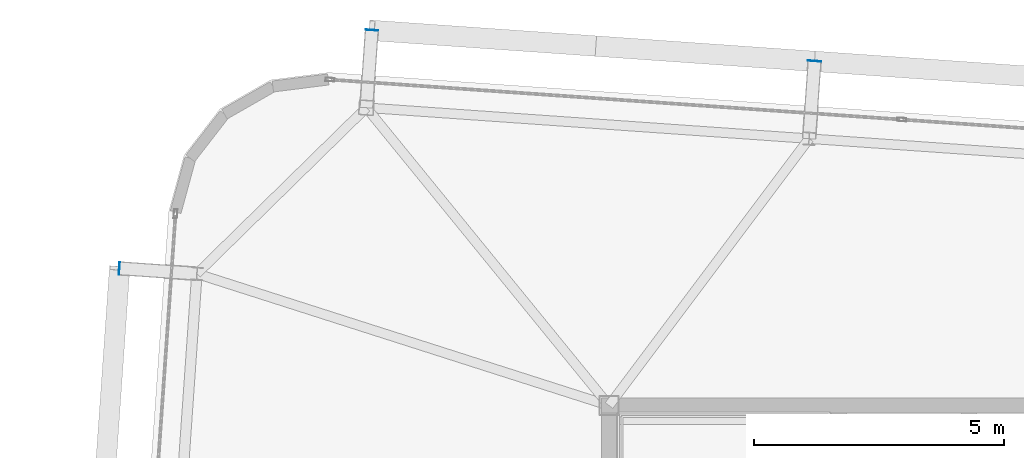
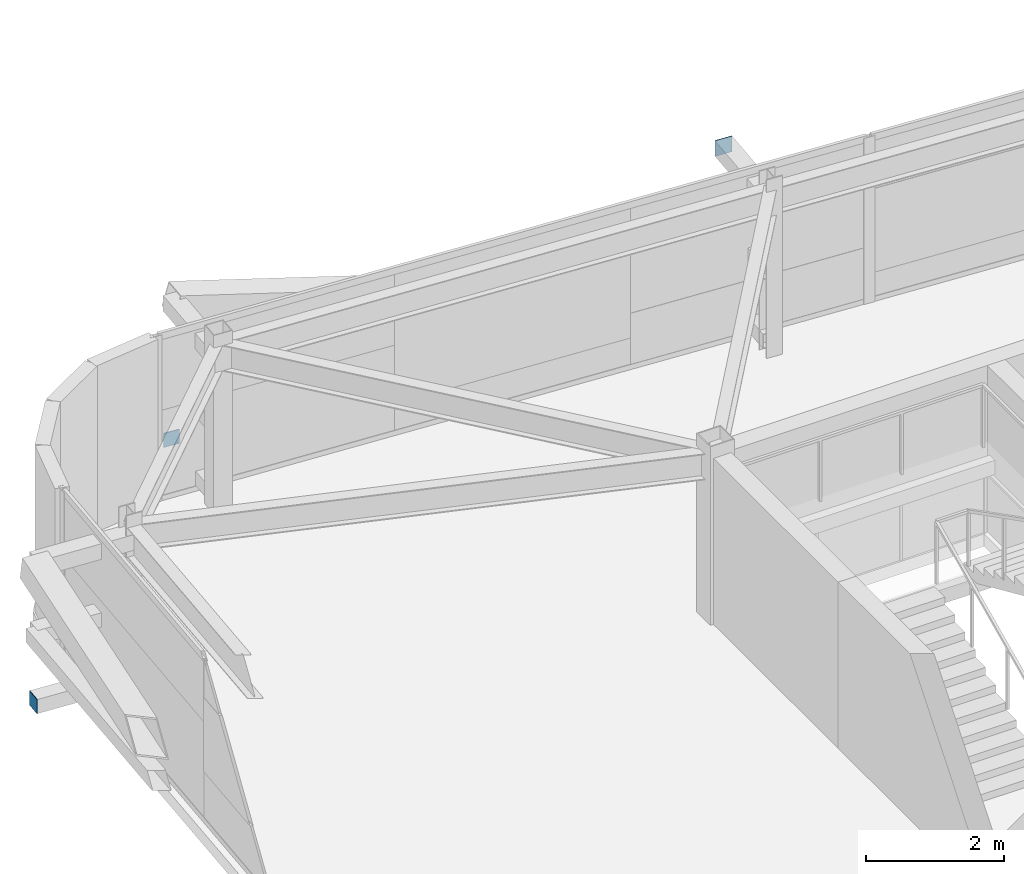
# One storey, part 32 of 39: 3 plates.
"""IFC4 building model written with IfcOpenShell, lengths in metres."""

import ifcopenshell
import ifcopenshell.guid

model = None  # the IFC model being written
_history = None  # IfcOwnerHistory: only IFC2X3 demands one
_inside = {}  # id of a spatial element -> (the spatial element, [elements in it])
_under = {}  # id of a project, library or spatial element -> (it, [spatial elements below it])
_declared = {}  # id of a project -> (the project, [libraries it declares])
_typed = {}  # id of a type object -> (the type object, [elements of that type])
_made_of = {}  # id of a material, layer set ... -> (it, [elements and type objects made of it])


def new_model(schema):
    """Start an empty IFC model of exactly this schema.

    Asked for "IFC4X3", IfcOpenShell would pick the latest addendum, in which some entities
    have other attributes; the version numbers below select the first issue.
    IFC2X3 requires an IfcOwnerHistory on every rooted entity: one is made here for all.
    """
    global model, _history
    if schema == "IFC4X3":
        model = ifcopenshell.file(schema_version=(4, 3, 0, 0))
    else:
        model = ifcopenshell.file(schema=schema)
    _inside.clear()
    _under.clear()
    _declared.clear()
    _typed.clear()
    _made_of.clear()
    _history = None
    if model.schema == "IFC2X3":
        org = make("IfcOrganization", Name="unknown")
        user = make(
            "IfcPersonAndOrganization",
            ThePerson=make("IfcPerson", FamilyName="unknown"),
            TheOrganization=org,
        )
        app = make(
            "IfcApplication",
            ApplicationDeveloper=org,
            Version="unknown",
            ApplicationFullName="unknown",
            ApplicationIdentifier="unknown",
        )
        _history = make(
            "IfcOwnerHistory",
            OwningUser=user,
            OwningApplication=app,
            ChangeAction="ADDED",
            CreationDate=0,
        )
    return model


def make(cls, **values):
    """One entity of the class cls with the attributes given. An attribute that is None is left unset."""
    return model.create_entity(
        cls, **{name: value for name, value in values.items() if value is not None}
    )


def rooted(cls, **values):
    """An entity with a GlobalId (a new one), such as an element, a storey or a relation."""
    return make(cls, GlobalId=ifcopenshell.guid.new(), OwnerHistory=_history, **values)


def si_unit(unit_type, name, prefix=None):
    """IfcSIUnit, for example si_unit("LENGTHUNIT", "METRE", prefix="MILLI")."""
    return make("IfcSIUnit", UnitType=unit_type, Prefix=prefix, Name=name)


def assignment(units):
    """IfcUnitAssignment: the units of a project."""
    return None if units is None else make("IfcUnitAssignment", Units=units)


def point(xyz):
    """IfcCartesianPoint."""
    return None if xyz is None else make("IfcCartesianPoint", Coordinates=xyz)


def direction(xyz):
    """IfcDirection."""
    return None if xyz is None else make("IfcDirection", DirectionRatios=xyz)


def frame(location, z_axis=None, x_axis=None):
    """IfcAxis2Placement3D, a coordinate frame: its origin and axes. An axis left out is left unset."""
    return make(
        "IfcAxis2Placement3D",
        Location=point(location),
        Axis=direction(z_axis),
        RefDirection=direction(x_axis),
    )


def frame_2d(location, x_axis=None):
    """IfcAxis2Placement2D, a coordinate frame in the plane: its origin and x axis."""
    return make(
        "IfcAxis2Placement2D", Location=point(location), RefDirection=direction(x_axis)
    )


def origin():
    """The frame at (0, 0, 0) with its axes left unset."""
    return frame((0.0, 0.0, 0.0))


def origin_2d():
    """The frame at (0, 0) in the plane with its x axis left unset."""
    return frame_2d((0.0, 0.0))


def place(relative_to, where):
    """IfcLocalPlacement: puts the frame where relative to a parent placement (None: the world)."""
    return make(
        "IfcLocalPlacement", PlacementRelTo=relative_to, RelativePlacement=where
    )


def context(
    kind, dimensions, precision=None, world=None, true_north=None, identifier=None
):
    """IfcGeometricRepresentationContext, for example the 3D "Model" context."""
    return make(
        "IfcGeometricRepresentationContext",
        ContextIdentifier=identifier,
        ContextType=kind,
        CoordinateSpaceDimension=dimensions,
        Precision=precision,
        WorldCoordinateSystem=world,
        TrueNorth=true_north,
    )


def subcontext(parent, identifier, kind, view, scale=None):
    """IfcGeometricRepresentationSubContext, for example "Body" below "Model"."""
    return make(
        "IfcGeometricRepresentationSubContext",
        ContextIdentifier=identifier,
        ContextType=kind,
        ParentContext=parent,
        TargetScale=scale,
        TargetView=view,
    )


def project(units=None, contexts=None):
    """IfcProject with its units and contexts."""
    return rooted(
        "IfcProject",
        Name="project",
        RepresentationContexts=contexts,
        UnitsInContext=assignment(units),
    )


def spatial(cls, under=None, at=None, **own):
    """A site, building, storey or space (cls), placed at a placement, below another one or the project."""
    s = rooted(cls, ObjectPlacement=at, **own)
    if under is not None:
        _under.setdefault(under.id(), (under, []))[1].append(s)
    return s


def profile(cls, at=None, kind="AREA", **sizes):
    """A parametric profile (cls). Its sizes go by their IFC names, for example OverallWidth=200.0."""
    return make(cls, ProfileType=kind, Position=at, **sizes)


def rectangle(**sizes):
    """IfcRectangleProfileDef."""
    return profile("IfcRectangleProfileDef", **sizes)


def extrude(swept, where, along, depth):
    """IfcExtrudedAreaSolid: the profile swept, set in the frame where, extruded along a direction by depth."""
    return make(
        "IfcExtrudedAreaSolid",
        SweptArea=swept,
        Position=where,
        ExtrudedDirection=direction(along),
        Depth=depth,
    )


def shape(context_of_items, identifier, shape_type, items):
    """IfcShapeRepresentation: the items that make up one representation, for example the "Body"."""
    return make(
        "IfcShapeRepresentation",
        ContextOfItems=context_of_items,
        RepresentationIdentifier=identifier,
        RepresentationType=shape_type,
        Items=items,
    )


def source(mapping_origin, context_of_items, identifier, shape_type, items):
    """IfcRepresentationMap: a shape defined once, which mapped items show again and again."""
    return make(
        "IfcRepresentationMap",
        MappingOrigin=mapping_origin,
        MappedRepresentation=shape(context_of_items, identifier, shape_type, items),
    )


def transform(
    local_origin,
    x_axis=None,
    y_axis=None,
    z_axis=None,
    scale=None,
    scale2=None,
    scale3=None,
    uniform=True,
):
    """IfcCartesianTransformationOperator3D, or its non-uniform kind. x_axis, y_axis, z_axis: its Axis1, 2, 3."""
    if uniform:
        return make(
            "IfcCartesianTransformationOperator3D",
            Axis1=direction(x_axis),
            Axis2=direction(y_axis),
            LocalOrigin=point(local_origin),
            Scale=scale,
            Axis3=direction(z_axis),
        )
    return make(
        "IfcCartesianTransformationOperator3DnonUniform",
        Axis1=direction(x_axis),
        Axis2=direction(y_axis),
        LocalOrigin=point(local_origin),
        Scale=scale,
        Axis3=direction(z_axis),
        Scale2=scale2,
        Scale3=scale3,
    )


def mapped(mapping_source, mapping_target):
    """IfcMappedItem: shows the shape of a source again, moved by a transform."""
    return make(
        "IfcMappedItem", MappingSource=mapping_source, MappingTarget=mapping_target
    )


def material(Name=None, Category=None):
    """IfcMaterial."""
    return make("IfcMaterial", Name=Name, Category=Category)


def layer(
    of_material, thickness, ventilated=None, Name=None, Category=None, Priority=None
):
    """IfcMaterialLayer: one layer of a wall or slab, of a material (None: an air gap)."""
    return make(
        "IfcMaterialLayer",
        Material=of_material,
        LayerThickness=thickness,
        IsVentilated=ventilated,
        Name=Name,
        Category=Category,
        Priority=Priority,
    )


def layer_set(layers, Name=None):
    """IfcMaterialLayerSet."""
    return make("IfcMaterialLayerSet", MaterialLayers=layers, LayerSetName=Name)


def made_of(thing, what):
    """Note that an element or type object is made of a material, layer set ...; save() writes the relation."""
    if what is not None:
        _made_of.setdefault(what.id(), (what, []))[1].append(thing)
    return thing


def type_object(cls, material=None, **own):
    """A type object (cls), such as IfcWallType, which elements share."""
    return made_of(rooted(cls, **own), material)


def element(
    cls,
    number,
    at=None,
    inside=None,
    cuts=None,
    type_object=None,
    material=None,
    context=None,
    identifier="Body",
    shape_type=None,
    held_by="IfcProductDefinitionShape",
    body=None,
    shapes=None,
    **own,
):
    """One element of the class cls, such as IfcWall. Its Tag is "e" and its number.

    at: its placement. inside: the storey or other place that contains it. cuts: it is an
    opening in that element (IfcRelVoidsElement). A single representation is given by context,
    identifier, shape_type and body (its items); several are given by shapes. held_by: the class
    of the entity that holds the representations. save() writes the other relations.
    """
    e = rooted(cls, Tag="e%d" % number, ObjectPlacement=at, **own)
    if body is not None:
        shapes = [shape(context, identifier, shape_type, body)]
    if shapes is not None:
        e.Representation = make(held_by, Representations=shapes)
    if inside is not None:
        _inside.setdefault(inside.id(), (inside, []))[1].append(e)
    if cuts is not None:
        rooted(
            "IfcRelVoidsElement", RelatingBuildingElement=cuts, RelatedOpeningElement=e
        )
    if type_object is not None:
        _typed.setdefault(type_object.id(), (type_object, []))[1].append(e)
    return made_of(e, material)


def aggregate(whole, parts):
    """IfcRelAggregates: a whole, such as a stair, and the parts it consists of."""
    return rooted("IfcRelAggregates", RelatingObject=whole, RelatedObjects=parts)


def save(model, path):
    """Write the relations noted so far, then the file.

    IfcRelAggregates (storeys below a building ...), IfcRelContainedInSpatialStructure (elements
    in a storey), IfcRelDefinesByType, IfcRelAssociatesMaterial and IfcRelDeclares: one each for
    every whole, place, type object, material and project.
    """
    for whole, parts in _under.values():
        aggregate(whole, parts)
    for where, things in _inside.values():
        rooted(
            "IfcRelContainedInSpatialStructure",
            RelatedElements=things,
            RelatingStructure=where,
        )
    for kind, things in _typed.values():
        rooted("IfcRelDefinesByType", RelatedObjects=things, RelatingType=kind)
    for what, things in _made_of.values():
        rooted("IfcRelAssociatesMaterial", RelatedObjects=things, RelatingMaterial=what)
    for by, libraries in _declared.values():
        rooted("IfcRelDeclares", RelatingContext=by, RelatedDefinitions=libraries)
    model.write(path)


model = new_model("IFC4")

# Units and contexts
model_context = context("Model", 3, precision=1e-05, world=origin(), true_north=direction((0.0, 1.0)))
body_context = subcontext(model_context, "Body", "Model", "MODEL_VIEW")
ifc_project = project(units=[si_unit("LENGTHUNIT", "METRE"), si_unit("AREAUNIT", "SQUARE_METRE"), si_unit("VOLUMEUNIT", "CUBIC_METRE"), si_unit("PLANEANGLEUNIT", "RADIAN"), si_unit("MASSUNIT", "GRAM", prefix="KILO")], contexts=[model_context])

# Site, building, storey
site_placement = place(None, origin())
site = spatial("IfcSite", under=ifc_project, at=site_placement, CompositionType="ELEMENT")
building_placement = place(site_placement, origin())
building = spatial("IfcBuilding", under=site, at=building_placement, Name="Taldren Reach Tower", CompositionType="ELEMENT")
storey_placement = place(building_placement, frame((0.0, 0.0, 148.75)))
storey = spatial("IfcBuildingStorey", under=building, at=storey_placement, Name="L45", CompositionType="ELEMENT", Elevation=148.75)

# Plates
ifc_material_1 = material(Name="Steel Gr 450 (C450L0)", Category="steel")
ifc_layer_1 = layer(ifc_material_1, 0.011962890625)
ifc_layer_set_1 = layer_set([ifc_layer_1], Name="Steel Gr 450 (C450L0)")
plate_type_1 = type_object("IfcPlateType", Name="PL-CAP-275", PredefinedType="SHEET", material=ifc_layer_set_1)
shared_shape_1 = source(origin(), body_context, "Body", "SweptSolid", [
    extrude(rectangle(XDim=0.27490234375, YDim=0.011962890625, at=origin_2d()), origin(), (0.0, 0.0, 1.0), 0.27490234375),
])
plate_1_placement = place(storey_placement, frame((23.111572265625, 38.8916015625, 2.512451171875), z_axis=(0.0, 0.0, 1.0), x_axis=(0.99756405026, -0.069756473744, 0.0)))
element("IfcPlate", 1, at=plate_1_placement, inside=storey, type_object=plate_type_1, Name="Tie strut end cap plate B3-N2 L45", PredefinedType="SHEET", context=body_context, shape_type="MappedRepresentation", body=[
    mapped(shared_shape_1, transform((0.0, 0.0, 0.0), scale=1.0)),
])
ifc_material_2 = material(Name="Steel Gr 350 (C350L0)", Category="steel")
ifc_layer_2 = layer(ifc_material_2, 0.011962890625)
ifc_layer_set_2 = layer_set([ifc_layer_2], Name="Steel Gr 350 (C350L0)")
plate_type_2 = type_object("IfcPlateType", Name="PL-CAP-250", PredefinedType="SHEET", material=ifc_layer_set_2)
shared_shape_2 = source(origin(), body_context, "Body", "SweptSolid", [
    extrude(rectangle(XDim=0.25, YDim=0.011962890625, at=origin_2d()), origin(), (0.0, 0.0, 1.0), 0.25),
])
plate_2_placement = place(storey_placement, frame((14.253173828125, 39.510986328125, 0.094970703125), z_axis=(0.0, 0.0, 1.0), x_axis=(0.99756405026, -0.069756473744, 0.0)))
element("IfcPlate", 2, at=plate_2_placement, inside=storey, type_object=plate_type_2, Name="Tie strut end cap plate B3-N1 L45", PredefinedType="SHEET", context=body_context, shape_type="MappedRepresentation", body=[
    mapped(shared_shape_2, transform((0.0, 0.0, 0.0), scale=1.0)),
])
shared_shape_3 = source(origin(), body_context, "Body", "SweptSolid", [
    extrude(rectangle(XDim=0.011962890625, YDim=0.25, at=origin_2d()), origin(), (0.0, 0.0, 1.0), 0.25),
])
plate_3_placement = place(storey_placement, frame((9.202392578125, 34.74560546875, 0.094970703125), z_axis=(0.0, 0.0, 1.0), x_axis=(0.99756405026, -0.069756473744, 0.0)))
element("IfcPlate", 3, at=plate_3_placement, inside=storey, type_object=plate_type_2, Name="Tie strut end cap plate B3-W3 L45", PredefinedType="SHEET", context=body_context, shape_type="MappedRepresentation", body=[
    mapped(shared_shape_3, transform((0.0, 0.0, 0.0), scale=1.0)),
])

save(model, "model.ifc")
